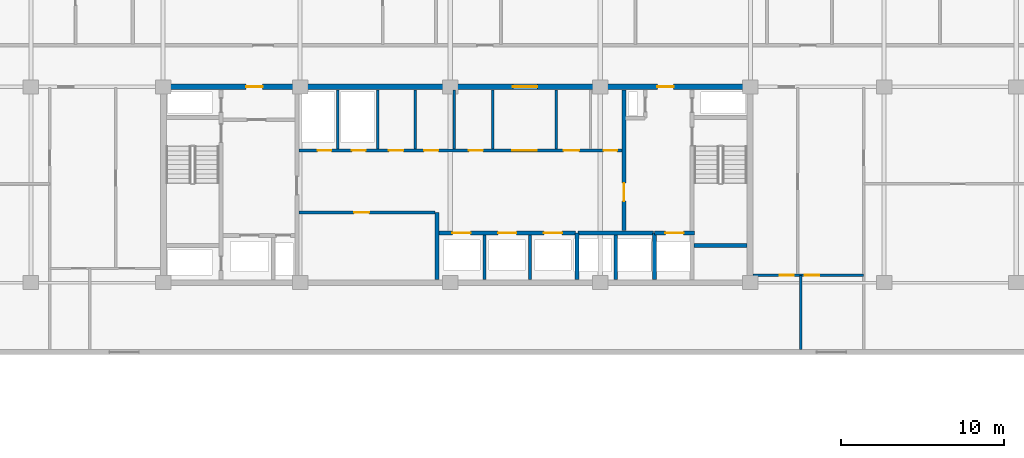
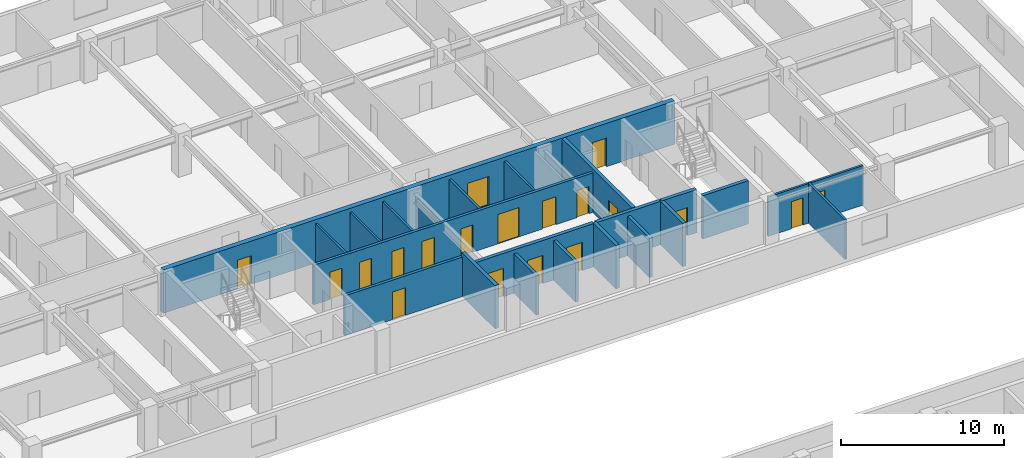
# One storey, part 12 of 22: 22 walls, 19 doors, 19 openings.
"""IFC4 building model written with IfcOpenShell, lengths in metres."""

from ifc_helpers import new_model, si_unit, direction, frame, frame_2d, origin, place, context, subcontext, project, spatial, rectangle, extrude, material, layer, layer_set, type_object, element, fill, save


model = new_model("IFC4")

# Units and contexts
model_context = context("Model", 3, precision=1e-05, world=origin(), true_north=direction((0.0, 1.0)))
body_context = subcontext(model_context, "Body", "Model", "MODEL_VIEW")
ifc_project = project(units=[si_unit("LENGTHUNIT", "METRE"), si_unit("AREAUNIT", "SQUARE_METRE"), si_unit("VOLUMEUNIT", "CUBIC_METRE"), si_unit("PLANEANGLEUNIT", "RADIAN"), si_unit("MASSUNIT", "GRAM", prefix="KILO")], contexts=[model_context])

# Site, building, storey
site_placement = place(None, origin())
site = spatial("IfcSite", under=ifc_project, at=site_placement, CompositionType="ELEMENT")
building_placement = place(site_placement, origin())
building = spatial("IfcBuilding", under=site, at=building_placement, Name="Korimba Cascade Residences", CompositionType="ELEMENT")
storey_placement = place(building_placement, frame((0.0, 0.0, 129.550048828125)))
storey = spatial("IfcBuildingStorey", under=building, at=storey_placement, Name="L37", CompositionType="ELEMENT", Elevation=129.550048828125)

# Wall, openings, doors
ifc_material_1 = material(Name="Concrete C65/80", Category="concrete")
ifc_layer_1 = layer(ifc_material_1, 0.35009765625)
ifc_layer_set_1 = layer_set([ifc_layer_1], Name="Concrete C65/80")
wall_type_1 = type_object("IfcWallType", Name="WAL-CORE-350", PredefinedType="SHEAR", material=ifc_layer_set_1)
wall_1_placement = place(storey_placement, frame((75.949951171875, 67.199951171875, 0.0), z_axis=(0.0, 0.0, 1.0), x_axis=(1.0, 0.0, 0.0)))
wall_1 = element("IfcWall", 1, at=wall_1_placement, inside=storey, type_object=wall_type_1, Name="L37 Core Shear Wall CW-L37-T1-N", PredefinedType="SHEAR", context=body_context, shape_type="SweptSolid", body=[
    extrude(rectangle(XDim=36.300048828125, YDim=0.35009765625, at=frame_2d((18.14990234375, 0.0))), origin(), (0.0, 0.0, 1.0), 3.25),
])
opening_1_placement = place(wall_1_placement, frame((5.25, 0.0, 0.0)))
opening_1 = element("IfcOpeningElement", 2, at=opening_1_placement, cuts=wall_1, Name="Opening D-FD5", PredefinedType="OPENING", context=body_context, shape_type="SweptSolid", body=[
    extrude(rectangle(XDim=1.0, YDim=2.14990234375, at=frame_2d((0.5, 1.074951171875))), frame((0.0, 0.18505859375, 0.0), z_axis=(0.0, -1.0, 0.0), x_axis=(1.0, 0.0, 0.0)), (0.0, 0.0, 1.0), 0.3701171875),
])
opening_2_placement = place(wall_1_placement, frame((21.60009765625, 0.0, 0.0)))
opening_2 = element("IfcOpeningElement", 3, at=opening_2_placement, cuts=wall_1, Name="Opening D-FD8", PredefinedType="OPENING", context=body_context, shape_type="SweptSolid", body=[
    extrude(rectangle(XDim=1.5, YDim=2.199951171875, at=frame_2d((0.75, 1.10009765625))), frame((0.0, 0.18505859375, 0.0), z_axis=(0.0, -1.0, 0.0), x_axis=(1.0, 0.0, 0.0)), (0.0, 0.0, 1.0), 0.3701171875),
])
opening_3_placement = place(wall_1_placement, frame((30.449951171875, 0.0, 0.0)))
opening_3 = element("IfcOpeningElement", 4, at=opening_3_placement, cuts=wall_1, Name="Opening D-FD5", PredefinedType="OPENING", context=body_context, shape_type="SweptSolid", body=[
    extrude(rectangle(XDim=1.0, YDim=2.14990234375, at=frame_2d((0.5, 1.074951171875))), frame((0.0, 0.18505859375, 0.0), z_axis=(0.0, -1.0, 0.0), x_axis=(1.0, 0.0, 0.0)), (0.0, 0.0, 1.0), 0.3701171875),
])
ifc_material_2 = material(Name="Fire-Rated Acoustic Timber Vestibule Door", Category="wood")
door_type_1 = type_object("IfcDoorType", Name="DR-FD90-1000", OperationType="NOTDEFINED", PredefinedType="DOOR", material=ifc_material_2)
door_1_placement = place(opening_1_placement, origin())
door_1 = element("IfcDoor", 5, at=door_1_placement, inside=storey, type_object=door_type_1, Name="L37 T1 West Core Vestibule Fire Door", OperationType="SINGLE_SWING_RIGHT", OverallHeight=2.14990234375, OverallWidth=1.0, PredefinedType="DOOR", context=body_context, shape_type="SweptSolid", body=[
    extrude(rectangle(XDim=1.0, YDim=2.14990234375, at=frame_2d((0.5, 1.074951171875))), frame((0.0, 0.02490234375, 0.0), z_axis=(0.0, -1.0, 0.0), x_axis=(1.0, 0.0, 0.0)), (0.0, 0.0, 1.0), 0.050048828125),
])
fill(opening_1, door_1)
door_2_placement = place(opening_3_placement, origin())
door_2 = element("IfcDoor", 6, at=door_2_placement, inside=storey, type_object=door_type_1, Name="L37 T1 East Firefighting Vestibule Fire Door", OperationType="SINGLE_SWING_LEFT", OverallHeight=2.14990234375, OverallWidth=1.0, PredefinedType="DOOR", context=body_context, shape_type="SweptSolid", body=[
    extrude(rectangle(XDim=1.0, YDim=2.14990234375, at=frame_2d((0.5, 1.074951171875))), frame((0.0, 0.02490234375, 0.0), z_axis=(0.0, -1.0, 0.0), x_axis=(1.0, 0.0, 0.0)), (0.0, 0.0, 1.0), 0.050048828125),
])
fill(opening_3, door_2)
ifc_material_3 = material(Name="Fire-Rated Glazed Lift Lobby Double Door", Category="glass")
door_type_2 = type_object("IfcDoorType", Name="DR-FD90-1500", OperationType="NOTDEFINED", PredefinedType="DOOR", material=ifc_material_3)
door_3_placement = place(opening_2_placement, origin())
door_3 = element("IfcDoor", 7, at=door_3_placement, inside=storey, type_object=door_type_2, Name="L37 T1 Lift Lobby Fire Door", OperationType="DOUBLE_DOOR_SINGLE_SWING", OverallHeight=2.199951171875, OverallWidth=1.5, PredefinedType="DOOR", context=body_context, shape_type="SweptSolid", body=[
    extrude(rectangle(XDim=1.5, YDim=2.199951171875, at=frame_2d((0.75, 1.10009765625))), frame((0.0, 0.02490234375, 0.0), z_axis=(0.0, -1.0, 0.0), x_axis=(1.0, 0.0, 0.0)), (0.0, 0.0, 1.0), 0.050048828125),
])
fill(opening_2, door_3)

# Walls
ifc_material_4 = material(Name="Insulated Acoustic Stud Partition", Category="gypsum")
ifc_layer_2 = layer(ifc_material_4, 0.14990234375)
ifc_layer_set_2 = layer_set([ifc_layer_2], Name="Insulated Acoustic Stud Partition")
wall_type_2 = type_object("IfcWallType", Name="WAL-PART-150", PredefinedType="PARTITIONING", material=ifc_layer_set_2)
for number, where, z_axis, x_axis, name in (
    (8, (86.800048828125, 63.39990234375, 0.0), (0.0, 0.0, 1.0), (0.0, 1.0, 0.0), "L37 Partition Wall CW-L37-T1-ERDIV"),
    (9, (89.25, 63.39990234375, 0.0), (0.0, 0.0, 1.0), (0.0, 1.0, 0.0), "L37 Partition Wall CW-L37-T1-PRDIV"),
    (10, (91.550048828125, 63.39990234375, 0.0), (0.0, 0.0, 1.0), (0.0, 1.0, 0.0), "L37 Partition Wall CW-L37-T1-CA1W1"),
):
    element("IfcWall", number, at=place(storey_placement, frame(where, z_axis=z_axis, x_axis=x_axis)), inside=storey, type_object=wall_type_2, Name=name, PredefinedType="PARTITIONING", context=body_context, shape_type="SweptSolid", body=[
        extrude(rectangle(XDim=3.60009765625, YDim=0.14990234375, at=frame_2d((1.800048828125, 0.0))), origin(), (0.0, 0.0, 1.0), 2.969970703125),
    ])
wall_2_placement = place(storey_placement, frame((93.949951171875, 63.39990234375, 0.0), z_axis=(0.0, 0.0, 1.0), x_axis=(0.0, 1.0, 0.0)))
element("IfcWall", 11, at=wall_2_placement, inside=storey, type_object=wall_type_2, Name="L37 Partition Wall CW-L37-T1-CA1W2", PredefinedType="PARTITIONING", context=body_context, shape_type="SweptSolid", body=[
    extrude(rectangle(XDim=3.60009765625, YDim=0.14990234375, at=frame_2d((1.800048828125, 0.0))), origin(), (0.0, 0.0, 1.0), 2.277099609375),
])
for number, where, z_axis, x_axis, name in (
    (12, (96.300048828125, 63.39990234375, 0.0), (0.0, 0.0, 1.0), (0.0, 1.0, 0.0), "L37 Partition Wall CW-L37-T1-THW"),
    (13, (100.199951171875, 63.39990234375, 0.0), (0.0, 0.0, 1.0), (0.0, 1.0, 0.0), "L37 Partition Wall CW-L37-T1-THE"),
):
    element("IfcWall", number, at=place(storey_placement, frame(where, z_axis=z_axis, x_axis=x_axis)), inside=storey, type_object=wall_type_2, Name=name, PredefinedType="PARTITIONING", context=body_context, shape_type="SweptSolid", body=[
        extrude(rectangle(XDim=3.60009765625, YDim=0.14990234375, at=frame_2d((1.800048828125, 0.0))), origin(), (0.0, 0.0, 1.0), 2.969970703125),
    ])
wall_3_placement = place(storey_placement, frame((115.199951171875, 51.10009765625, 0.0), z_axis=(0.0, 0.0, 1.0), x_axis=(0.0, 1.0, 0.0)))
element("IfcWall", 14, at=wall_3_placement, inside=storey, type_object=wall_type_2, Name="L37 Partition Wall WAL-L37-T1-FE-VS", PredefinedType="PARTITIONING", context=body_context, shape_type="SweptSolid", body=[
    extrude(rectangle(XDim=4.5498046875, YDim=0.14990234375, at=frame_2d((2.27490234375, 0.0))), origin(), (0.0, 0.0, 1.0), 2.969970703125),
])

# Wall, openings, doors
wall_4_placement = place(storey_placement, frame((112.27001953125, 55.64990234375, 0.0), z_axis=(0.0, 0.0, 1.0), x_axis=(1.0, 0.0, 0.0)))
wall_4 = element("IfcWall", 15, at=wall_4_placement, inside=storey, type_object=wall_type_2, Name="L37 Partition Wall WAL-L37-T1-FE-H", PredefinedType="PARTITIONING", context=body_context, shape_type="SweptSolid", body=[
    extrude(rectangle(XDim=6.760009765625, YDim=0.14990234375, at=frame_2d((3.3798828125, 0.0))), origin(), (0.0, 0.0, 1.0), 2.969970703125),
])
opening_4_placement = place(wall_4_placement, frame((1.6396484375, 0.0, 0.0)))
opening_4 = element("IfcOpeningElement", 16, at=opening_4_placement, cuts=wall_4, Name="Opening D-BT1", PredefinedType="OPENING", context=body_context, shape_type="SweptSolid", body=[
    extrude(rectangle(XDim=0.840087890625, YDim=2.0400390625, at=frame_2d((0.419921875, 1.02001953125))), frame((0.0, 0.0849609375, 0.0), z_axis=(0.0, -1.0, 0.0), x_axis=(1.0, 0.0, 0.0)), (0.0, 0.0, 1.0), 0.169921875),
])
opening_5_placement = place(wall_4_placement, frame((3.160400390625, 0.0, 0.0)))
opening_5 = element("IfcOpeningElement", 17, at=opening_5_placement, cuts=wall_4, Name="Opening D-IN2", PredefinedType="OPENING", context=body_context, shape_type="SweptSolid", body=[
    extrude(rectangle(XDim=0.8798828125, YDim=2.06005859375, at=frame_2d((0.43994140625, 1.030029296875))), frame((0.0, 0.0849609375, 0.0), z_axis=(0.0, -1.0, 0.0), x_axis=(1.0, 0.0, 0.0)), (0.0, 0.0, 1.0), 0.169921875),
])
ifc_material_5 = material(Name="Moisture-Resistant Bathroom Timber Door", Category="wood")
door_type_3 = type_object("IfcDoorType", Name="DR-INT-850", OperationType="NOTDEFINED", PredefinedType="DOOR", material=ifc_material_5)
door_4_placement = place(opening_4_placement, origin())
door_4 = element("IfcDoor", 18, at=door_4_placement, inside=storey, type_object=door_type_3, Name="L37-T1-FE Bathroom Door", OperationType="SINGLE_SWING_LEFT", OverallHeight=2.0400390625, OverallWidth=0.840087890625, PredefinedType="DOOR", context=body_context, shape_type="SweptSolid", body=[
    extrude(rectangle(XDim=0.840087890625, YDim=2.0400390625, at=frame_2d((0.419921875, 1.02001953125))), frame((0.0, 0.02490234375, 0.0), z_axis=(0.0, -1.0, 0.0), x_axis=(1.0, 0.0, 0.0)), (0.0, 0.0, 1.0), 0.050048828125),
])
fill(opening_4, door_4)
ifc_material_6 = material(Name="Acoustic Timber Bedroom Door", Category="wood")
door_type_4 = type_object("IfcDoorType", Name="DR-INT-880", OperationType="NOTDEFINED", PredefinedType="DOOR", material=ifc_material_6)
door_5_placement = place(opening_5_placement, origin())
door_5 = element("IfcDoor", 19, at=door_5_placement, inside=storey, type_object=door_type_4, Name="L37-T1-FE Bedroom Door", OperationType="SINGLE_SWING_RIGHT", OverallHeight=2.06005859375, OverallWidth=0.8798828125, PredefinedType="DOOR", context=body_context, shape_type="SweptSolid", body=[
    extrude(rectangle(XDim=0.8798828125, YDim=2.06005859375, at=frame_2d((0.43994140625, 1.030029296875))), frame((0.0, 0.02490234375, 0.0), z_axis=(0.0, -1.0, 0.0), x_axis=(1.0, 0.0, 0.0)), (0.0, 0.0, 1.0), 0.050048828125),
])
fill(opening_5, door_5)

# Wall, opening, door
ifc_material_7 = material(Name="Concrete C40/50", Category="concrete")
ifc_layer_3 = layer(ifc_material_7, 0.199951171875)
ifc_layer_set_3 = layer_set([ifc_layer_3], Name="Concrete C40/50")
wall_type_3 = type_object("IfcWallType", Name="WAL-PART-200", PredefinedType="PARTITIONING", material=ifc_layer_set_3)
wall_5_placement = place(storey_placement, frame((84.419921875, 59.5, 0.0), z_axis=(0.0, 0.0, 1.0), x_axis=(1.0, 0.0, 0.0)))
wall_5 = element("IfcWall", 20, at=wall_5_placement, inside=storey, type_object=wall_type_3, Name="L37 Partition Wall CW-L37-T1-B1RN", PredefinedType="PARTITIONING", context=body_context, shape_type="SweptSolid", body=[
    extrude(rectangle(XDim=8.360107421875, YDim=0.199951171875, at=frame_2d((4.18017578125, 0.0))), origin(), (0.0, 0.0, 1.0), 2.969970703125),
])
opening_6_placement = place(wall_5_placement, frame((3.39990234375, 0.0, 0.0)))
opening_6 = element("IfcOpeningElement", 21, at=opening_6_placement, cuts=wall_5, Name="Opening D-ST1", PredefinedType="OPENING", context=body_context, shape_type="SweptSolid", body=[
    extrude(rectangle(XDim=0.919921875, YDim=2.080078125, at=frame_2d((0.4599609375, 1.0400390625))), frame((0.0, 0.10986328125, 0.0), z_axis=(0.0, -1.0, 0.0), x_axis=(1.0, 0.0, 0.0)), (0.0, 0.0, 1.0), 0.219970703125),
])
ifc_material_8 = material(Name="Fire-Rated Core Store Door", Category="wood")
door_type_5 = type_object("IfcDoorType", Name="DR-FD60-920", OperationType="NOTDEFINED", PredefinedType="DOOR", material=ifc_material_8)
door_6_placement = place(opening_6_placement, origin())
door_6 = element("IfcDoor", 22, at=door_6_placement, inside=storey, type_object=door_type_5, Name="L37 Resident Storage Door", OperationType="SINGLE_SWING_RIGHT", OverallHeight=2.080078125, OverallWidth=0.919921875, PredefinedType="DOOR", context=body_context, shape_type="SweptSolid", body=[
    extrude(rectangle(XDim=0.919921875, YDim=2.080078125, at=frame_2d((0.4599609375, 1.0400390625))), frame((0.0, 0.02490234375, 0.0), z_axis=(0.0, -1.0, 0.0), x_axis=(1.0, 0.0, 0.0)), (0.0, 0.0, 1.0), 0.050048828125),
])
fill(opening_6, door_6)

# Walls
for number, where, z_axis, x_axis, name in (
    (23, (95.800048828125, 55.39990234375, 0.0), (0.0, 0.0, 1.0), (0.0, 1.0, 0.0), "L37 Partition Wall CW-L37-T1-B2D1"),
    (24, (98.60009765625, 55.39990234375, 0.0), (0.0, 0.0, 1.0), (0.0, 1.0, 0.0), "L37 Partition Wall CW-L37-T1-B2D2"),
    (25, (103.85009765625, 55.39990234375, 0.0), (0.0, 0.0, 1.0), (0.0, 1.0, 0.0), "L37 Partition Wall CW-L37-T1-B3D1"),
):
    element("IfcWall", number, at=place(storey_placement, frame(where, z_axis=z_axis, x_axis=x_axis)), inside=storey, type_object=wall_type_3, Name=name, PredefinedType="PARTITIONING", context=body_context, shape_type="SweptSolid", body=[
        extrude(rectangle(XDim=2.72021484375, YDim=0.199951171875, at=frame_2d((1.360107421875, 0.0))), origin(), (0.0, 0.0, 1.0), 2.969970703125),
    ])

# Wall, openings, doors
wall_6_placement = place(storey_placement, frame((84.419921875, 63.300048828125, 0.0), z_axis=(0.0, 0.0, 1.0), x_axis=(1.0, 0.0, 0.0)))
wall_6 = element("IfcWall", 26, at=wall_6_placement, inside=storey, type_object=wall_type_3, Name="L37 Partition Wall CW-L37-T1-SRVROW", PredefinedType="PARTITIONING", context=body_context, shape_type="SweptSolid", body=[
    extrude(rectangle(XDim=19.830078125, YDim=0.199951171875, at=frame_2d((9.9150390625, 0.0))), origin(), (0.0, 0.0, 1.0), 2.969970703125),
])
opening_7_placement = place(wall_6_placement, frame((1.14990234375, 0.0, 0.0)))
opening_7 = element("IfcOpeningElement", 27, at=opening_7_placement, cuts=wall_6, Name="Opening D-RS1", PredefinedType="OPENING", context=body_context, shape_type="SweptSolid", body=[
    extrude(rectangle(XDim=0.85009765625, YDim=2.050048828125, at=frame_2d((0.425048828125, 1.02490234375))), frame((0.0, 0.10986328125, 0.0), z_axis=(0.0, -1.0, 0.0), x_axis=(1.0, 0.0, 0.0)), (0.0, 0.0, 1.0), 0.219970703125),
])
opening_8_placement = place(wall_6_placement, frame((3.25, 0.0, 0.0)))
opening_8 = element("IfcOpeningElement", 28, at=opening_8_placement, cuts=wall_6, Name="Opening D-RS1", PredefinedType="OPENING", context=body_context, shape_type="SweptSolid", body=[
    extrude(rectangle(XDim=0.85009765625, YDim=2.050048828125, at=frame_2d((0.425048828125, 1.02490234375))), frame((0.0, 0.10986328125, 0.0), z_axis=(0.0, -1.0, 0.0), x_axis=(1.0, 0.0, 0.0)), (0.0, 0.0, 1.0), 0.219970703125),
])
opening_9_placement = place(wall_6_placement, frame((13.080078125, 0.0, 0.0)))
opening_9 = element("IfcOpeningElement", 29, at=opening_9_placement, cuts=wall_6, Name="Opening D-FD8", PredefinedType="OPENING", context=body_context, shape_type="SweptSolid", body=[
    extrude(rectangle(XDim=1.5, YDim=2.199951171875, at=frame_2d((0.75, 1.10009765625))), frame((0.0, 0.10986328125, 0.0), z_axis=(0.0, -1.0, 0.0), x_axis=(1.0, 0.0, 0.0)), (0.0, 0.0, 1.0), 0.219970703125),
])
opening_10_placement = place(wall_6_placement, frame((5.530029296875, 0.0, 0.0)))
opening_10 = element("IfcOpeningElement", 30, at=opening_10_placement, cuts=wall_6, Name="Opening D-IN2", PredefinedType="OPENING", context=body_context, shape_type="SweptSolid", body=[
    extrude(rectangle(XDim=0.8798828125, YDim=2.06005859375, at=frame_2d((0.43994140625, 1.030029296875))), frame((0.0, 0.10986328125, 0.0), z_axis=(0.0, -1.0, 0.0), x_axis=(1.0, 0.0, 0.0)), (0.0, 0.0, 1.0), 0.219970703125),
])
opening_11_placement = place(wall_6_placement, frame((7.679931640625, 0.0, 0.0)))
opening_11 = element("IfcOpeningElement", 31, at=opening_11_placement, cuts=wall_6, Name="Opening D-IN2", PredefinedType="OPENING", context=body_context, shape_type="SweptSolid", body=[
    extrude(rectangle(XDim=0.8798828125, YDim=2.06005859375, at=frame_2d((0.43994140625, 1.030029296875))), frame((0.0, 0.10986328125, 0.0), z_axis=(0.0, -1.0, 0.0), x_axis=(1.0, 0.0, 0.0)), (0.0, 0.0, 1.0), 0.219970703125),
])
opening_12_placement = place(wall_6_placement, frame((10.429931640625, 0.0, 0.0)))
opening_12 = element("IfcOpeningElement", 32, at=opening_12_placement, cuts=wall_6, Name="Opening D-RS1", PredefinedType="OPENING", context=body_context, shape_type="SweptSolid", body=[
    extrude(rectangle(XDim=0.85009765625, YDim=2.050048828125, at=frame_2d((0.425048828125, 1.02490234375))), frame((0.0, 0.10986328125, 0.0), z_axis=(0.0, -1.0, 0.0), x_axis=(1.0, 0.0, 0.0)), (0.0, 0.0, 1.0), 0.219970703125),
])
opening_13_placement = place(wall_6_placement, frame((16.22998046875, 0.0, 0.0)))
opening_13 = element("IfcOpeningElement", 33, at=opening_13_placement, cuts=wall_6, Name="Opening D-AC1", PredefinedType="OPENING", context=body_context, shape_type="SweptSolid", body=[
    extrude(rectangle(XDim=0.9599609375, YDim=2.10009765625, at=frame_2d((0.47998046875, 1.050048828125))), frame((0.0, 0.10986328125, 0.0), z_axis=(0.0, -1.0, 0.0), x_axis=(1.0, 0.0, 0.0)), (0.0, 0.0, 1.0), 0.219970703125),
])
opening_14_placement = place(wall_6_placement, frame((18.679931640625, 0.0, 0.0)))
opening_14 = element("IfcOpeningElement", 34, at=opening_14_placement, cuts=wall_6, Name="Opening D-BT1", PredefinedType="OPENING", context=body_context, shape_type="SweptSolid", body=[
    extrude(rectangle(XDim=0.840087890625, YDim=2.0400390625, at=frame_2d((0.419921875, 1.02001953125))), frame((0.0, 0.10986328125, 0.0), z_axis=(0.0, -1.0, 0.0), x_axis=(1.0, 0.0, 0.0)), (0.0, 0.0, 1.0), 0.219970703125),
])
ifc_material_9 = material(Name="Accessible Acoustic Timber WC Door", Category="wood")
door_type_6 = type_object("IfcDoorType", Name="DR-ACC-950", OperationType="NOTDEFINED", PredefinedType="DOOR", material=ifc_material_9)
door_7_placement = place(opening_13_placement, origin())
door_7 = element("IfcDoor", 35, at=door_7_placement, inside=storey, type_object=door_type_6, Name="L37 Accessible Staff WC Door", OperationType="SINGLE_SWING_RIGHT", OverallHeight=2.10009765625, OverallWidth=0.9599609375, PredefinedType="DOOR", context=body_context, shape_type="SweptSolid", body=[
    extrude(rectangle(XDim=0.9599609375, YDim=2.10009765625, at=frame_2d((0.47998046875, 1.050048828125))), frame((0.0, 0.02490234375, 0.0), z_axis=(0.0, -1.0, 0.0), x_axis=(1.0, 0.0, 0.0)), (0.0, 0.0, 1.0), 0.050048828125),
])
fill(opening_13, door_7)
ifc_material_10 = material(Name="Fire-Rated Steel Riser Access Door", Category="steel")
door_type_7 = type_object("IfcDoorType", Name="DR-FD60-850", OperationType="NOTDEFINED", PredefinedType="DOOR", material=ifc_material_10)
door_8_placement = place(opening_7_placement, origin())
door_8 = element("IfcDoor", 36, at=door_8_placement, inside=storey, type_object=door_type_7, Name="L37 Electrical Riser Door", OperationType="SINGLE_SWING_LEFT", OverallHeight=2.050048828125, OverallWidth=0.85009765625, PredefinedType="DOOR", context=body_context, shape_type="SweptSolid", body=[
    extrude(rectangle(XDim=0.85009765625, YDim=2.050048828125, at=frame_2d((0.425048828125, 1.02490234375))), frame((0.0, 0.02490234375, 0.0), z_axis=(0.0, -1.0, 0.0), x_axis=(1.0, 0.0, 0.0)), (0.0, 0.0, 1.0), 0.050048828125),
])
fill(opening_7, door_8)
door_9_placement = place(opening_8_placement, origin())
door_9 = element("IfcDoor", 37, at=door_9_placement, inside=storey, type_object=door_type_7, Name="L37 Plumbing Riser Door", OperationType="SINGLE_SWING_RIGHT", OverallHeight=2.050048828125, OverallWidth=0.85009765625, PredefinedType="DOOR", context=body_context, shape_type="SweptSolid", body=[
    extrude(rectangle(XDim=0.85009765625, YDim=2.050048828125, at=frame_2d((0.425048828125, 1.02490234375))), frame((0.0, 0.02490234375, 0.0), z_axis=(0.0, -1.0, 0.0), x_axis=(1.0, 0.0, 0.0)), (0.0, 0.0, 1.0), 0.050048828125),
])
fill(opening_8, door_9)
door_10_placement = place(opening_12_placement, origin())
door_10 = element("IfcDoor", 38, at=door_10_placement, inside=storey, type_object=door_type_7, Name="L37 IT Room Door", OperationType="SINGLE_SWING_LEFT", OverallHeight=2.050048828125, OverallWidth=0.85009765625, PredefinedType="DOOR", context=body_context, shape_type="SweptSolid", body=[
    extrude(rectangle(XDim=0.85009765625, YDim=2.050048828125, at=frame_2d((0.425048828125, 1.02490234375))), frame((0.0, 0.02490234375, 0.0), z_axis=(0.0, -1.0, 0.0), x_axis=(1.0, 0.0, 0.0)), (0.0, 0.0, 1.0), 0.050048828125),
])
fill(opening_12, door_10)
door_11_placement = place(opening_9_placement, origin())
door_11 = element("IfcDoor", 39, at=door_11_placement, inside=storey, type_object=door_type_2, Name="L37 Lift Lobby Foyer Archway Door", OperationType="DOUBLE_DOOR_SINGLE_SWING", OverallHeight=2.199951171875, OverallWidth=1.5, PredefinedType="DOOR", context=body_context, shape_type="SweptSolid", body=[
    extrude(rectangle(XDim=1.5, YDim=2.199951171875, at=frame_2d((0.75, 1.10009765625))), frame((0.0, 0.02490234375, 0.0), z_axis=(0.0, -1.0, 0.0), x_axis=(1.0, 0.0, 0.0)), (0.0, 0.0, 1.0), 0.050048828125),
])
fill(opening_9, door_11)
door_12_placement = place(opening_14_placement, origin())
door_12 = element("IfcDoor", 40, at=door_12_placement, inside=storey, type_object=door_type_3, Name="L37 Vending Room Door", OperationType="SINGLE_SWING_LEFT", OverallHeight=2.0400390625, OverallWidth=0.840087890625, PredefinedType="DOOR", context=body_context, shape_type="SweptSolid", body=[
    extrude(rectangle(XDim=0.840087890625, YDim=2.0400390625, at=frame_2d((0.419921875, 1.02001953125))), frame((0.0, 0.02490234375, 0.0), z_axis=(0.0, -1.0, 0.0), x_axis=(1.0, 0.0, 0.0)), (0.0, 0.0, 1.0), 0.050048828125),
])
fill(opening_14, door_12)
door_13_placement = place(opening_10_placement, origin())
door_13 = element("IfcDoor", 41, at=door_13_placement, inside=storey, type_object=door_type_4, Name="L37 Cleaners Door", OperationType="SINGLE_SWING_LEFT", OverallHeight=2.06005859375, OverallWidth=0.8798828125, PredefinedType="DOOR", context=body_context, shape_type="SweptSolid", body=[
    extrude(rectangle(XDim=0.8798828125, YDim=2.06005859375, at=frame_2d((0.43994140625, 1.030029296875))), frame((0.0, 0.02490234375, 0.0), z_axis=(0.0, -1.0, 0.0), x_axis=(1.0, 0.0, 0.0)), (0.0, 0.0, 1.0), 0.050048828125),
])
fill(opening_10, door_13)
door_14_placement = place(opening_11_placement, origin())
door_14 = element("IfcDoor", 42, at=door_14_placement, inside=storey, type_object=door_type_4, Name="L37 Pantry Door", OperationType="SINGLE_SWING_RIGHT", OverallHeight=2.06005859375, OverallWidth=0.8798828125, PredefinedType="DOOR", context=body_context, shape_type="SweptSolid", body=[
    extrude(rectangle(XDim=0.8798828125, YDim=2.06005859375, at=frame_2d((0.43994140625, 1.030029296875))), frame((0.0, 0.02490234375, 0.0), z_axis=(0.0, -1.0, 0.0), x_axis=(1.0, 0.0, 0.0)), (0.0, 0.0, 1.0), 0.050048828125),
])
fill(opening_11, door_14)

# Wall
ifc_material_11 = material(Name="Concrete C50/60", Category="concrete")
ifc_layer_4 = layer(ifc_material_11, 0.25)
ifc_layer_set_4 = layer_set([ifc_layer_4], Name="Concrete C50/60")
wall_type_4 = type_object("IfcWallType", Name="WAL-SHAFT-250", PredefinedType="SHEAR", material=ifc_layer_set_4)
wall_7_placement = place(storey_placement, frame((92.89990234375, 55.39990234375, 0.0), z_axis=(0.0, 0.0, 1.0), x_axis=(0.0, 1.0, 0.0)))
element("IfcWall", 43, at=wall_7_placement, inside=storey, type_object=wall_type_4, Name="L37 Core Shear Wall CW-L37-T1-B12DIV", PredefinedType="SHEAR", context=body_context, shape_type="SweptSolid", body=[
    extrude(rectangle(XDim=4.10009765625, YDim=0.25, at=frame_2d((2.050048828125, 0.0))), origin(), (0.0, 0.0, 1.0), 3.25),
])

# Wall, openings, doors
wall_8_placement = place(storey_placement, frame((93.02001953125, 58.25, 0.0), z_axis=(0.0, 0.0, 1.0), x_axis=(1.0, 0.0, 0.0)))
wall_8 = element("IfcWall", 44, at=wall_8_placement, inside=storey, type_object=wall_type_4, Name="L37 Core Shear Wall CW-L37-T1-B2N", PredefinedType="SHEAR", context=body_context, shape_type="SweptSolid", body=[
    extrude(rectangle(XDim=8.35986328125, YDim=0.25, at=frame_2d((4.179931640625, 0.0))), origin(), (0.0, 0.0, 1.0), 3.25),
])
opening_15_placement = place(wall_8_placement, frame((0.820068359375, 0.0, 0.0)))
opening_15 = element("IfcOpeningElement", 45, at=opening_15_placement, cuts=wall_8, Name="Opening LD-01", PredefinedType="OPENING", context=body_context, shape_type="SweptSolid", body=[
    extrude(rectangle(XDim=1.1201171875, YDim=2.1201171875, at=frame_2d((0.56005859375, 1.06005859375))), frame((0.0, 0.135009765625, 0.0), z_axis=(0.0, -1.0, 0.0), x_axis=(1.0, 0.0, 0.0)), (0.0, 0.0, 1.0), 0.27001953125),
])
opening_16_placement = place(wall_8_placement, frame((3.6201171875, 0.0, 0.0)))
opening_16 = element("IfcOpeningElement", 46, at=opening_16_placement, cuts=wall_8, Name="Opening LD-01", PredefinedType="OPENING", context=body_context, shape_type="SweptSolid", body=[
    extrude(rectangle(XDim=1.1201171875, YDim=2.1201171875, at=frame_2d((0.56005859375, 1.06005859375))), frame((0.0, 0.135009765625, 0.0), z_axis=(0.0, -1.0, 0.0), x_axis=(1.0, 0.0, 0.0)), (0.0, 0.0, 1.0), 0.27001953125),
])
opening_17_placement = place(wall_8_placement, frame((6.419921875, 0.0, 0.0)))
opening_17 = element("IfcOpeningElement", 47, at=opening_17_placement, cuts=wall_8, Name="Opening LD-01", PredefinedType="OPENING", context=body_context, shape_type="SweptSolid", body=[
    extrude(rectangle(XDim=1.1201171875, YDim=2.1201171875, at=frame_2d((0.56005859375, 1.06005859375))), frame((0.0, 0.135009765625, 0.0), z_axis=(0.0, -1.0, 0.0), x_axis=(1.0, 0.0, 0.0)), (0.0, 0.0, 1.0), 0.27001953125),
])
ifc_material_12 = material(Name="Stainless Steel Lift Landing Sliding Door", Category="steel")
door_type_8 = type_object("IfcDoorType", Name="DR-LIFT-1100", OperationType="NOTDEFINED", PredefinedType="DOOR", material=ifc_material_12)
door_15_placement = place(opening_15_placement, origin())
door_15 = element("IfcDoor", 48, at=door_15_placement, inside=storey, type_object=door_type_8, Name="L37 Lift Landing Door PL-W4", OperationType="SLIDING_TO_RIGHT", OverallHeight=2.1201171875, OverallWidth=1.1201171875, PredefinedType="DOOR", context=body_context, shape_type="SweptSolid", body=[
    extrude(rectangle(XDim=1.1201171875, YDim=2.1201171875, at=frame_2d((0.56005859375, 1.06005859375))), frame((0.0, 0.02490234375, 0.0), z_axis=(0.0, -1.0, 0.0), x_axis=(1.0, 0.0, 0.0)), (0.0, 0.0, 1.0), 0.050048828125),
])
fill(opening_15, door_15)
door_16_placement = place(opening_16_placement, origin())
door_16 = element("IfcDoor", 49, at=door_16_placement, inside=storey, type_object=door_type_8, Name="L37 Lift Landing Door PL-W5", OperationType="SLIDING_TO_RIGHT", OverallHeight=2.1201171875, OverallWidth=1.1201171875, PredefinedType="DOOR", context=body_context, shape_type="SweptSolid", body=[
    extrude(rectangle(XDim=1.1201171875, YDim=2.1201171875, at=frame_2d((0.56005859375, 1.06005859375))), frame((0.0, 0.02490234375, 0.0), z_axis=(0.0, -1.0, 0.0), x_axis=(1.0, 0.0, 0.0)), (0.0, 0.0, 1.0), 0.050048828125),
])
fill(opening_16, door_16)
door_17_placement = place(opening_17_placement, origin())
door_17 = element("IfcDoor", 50, at=door_17_placement, inside=storey, type_object=door_type_8, Name="L37 Lift Landing Door PL-W6", OperationType="SLIDING_TO_RIGHT", OverallHeight=2.1201171875, OverallWidth=1.1201171875, PredefinedType="DOOR", context=body_context, shape_type="SweptSolid", body=[
    extrude(rectangle(XDim=1.1201171875, YDim=2.1201171875, at=frame_2d((0.56005859375, 1.06005859375))), frame((0.0, 0.02490234375, 0.0), z_axis=(0.0, -1.0, 0.0), x_axis=(1.0, 0.0, 0.0)), (0.0, 0.0, 1.0), 0.050048828125),
])
fill(opening_17, door_17)

# Walls
wall_9_placement = place(storey_placement, frame((101.47998046875, 55.39990234375, 0.0), z_axis=(0.0, 0.0, 1.0), x_axis=(0.0, 1.0, 0.0)))
element("IfcWall", 51, at=wall_9_placement, inside=storey, type_object=wall_type_4, Name="L37 Core Shear Wall CW-L37-T1-B23DIV", PredefinedType="SHEAR", context=body_context, shape_type="SweptSolid", body=[
    extrude(rectangle(XDim=2.85009765625, YDim=0.25, at=frame_2d((1.425048828125, 0.0))), origin(), (0.0, 0.0, 1.0), 3.25),
])
wall_10_placement = place(storey_placement, frame((101.550048828125, 58.25, 0.0), z_axis=(0.0, 0.0, 1.0), x_axis=(1.0, 0.0, 0.0)))
element("IfcWall", 52, at=wall_10_placement, inside=storey, type_object=wall_type_4, Name="L37 Core Shear Wall CW-L37-T1-B3N", PredefinedType="SHEAR", context=body_context, shape_type="SweptSolid", body=[
    extrude(rectangle(XDim=4.599853515625, YDim=0.25, at=frame_2d((2.2998046875, 0.0))), origin(), (0.0, 0.0, 1.0), 3.25),
])
wall_11_placement = place(storey_placement, frame((106.219970703125, 55.39990234375, 0.0), z_axis=(0.0, 0.0, 1.0), x_axis=(0.0, 1.0, 0.0)))
element("IfcWall", 53, at=wall_11_placement, inside=storey, type_object=wall_type_4, Name="L37 Core Shear Wall CW-L37-T1-FF2W", PredefinedType="SHEAR", context=body_context, shape_type="SweptSolid", body=[
    extrude(rectangle(XDim=2.85009765625, YDim=0.25, at=frame_2d((1.425048828125, 0.0))), origin(), (0.0, 0.0, 1.0), 3.25),
])

# Wall, opening, door
wall_12_placement = place(storey_placement, frame((106.219970703125, 58.25, 0.0), z_axis=(0.0, 0.0, 1.0), x_axis=(1.0, 0.0, 0.0)))
wall_12 = element("IfcWall", 54, at=wall_12_placement, inside=storey, type_object=wall_type_4, Name="L37 Core Shear Wall CW-L37-T1-FF2N", PredefinedType="SHEAR", context=body_context, shape_type="SweptSolid", body=[
    extrude(rectangle(XDim=2.4599609375, YDim=0.25, at=frame_2d((1.22998046875, 0.0))), origin(), (0.0, 0.0, 1.0), 3.25),
])
opening_18_placement = place(wall_12_placement, frame((0.669921875, 0.0, 0.0)))
opening_18 = element("IfcOpeningElement", 55, at=opening_18_placement, cuts=wall_12, Name="Opening LD-01", PredefinedType="OPENING", context=body_context, shape_type="SweptSolid", body=[
    extrude(rectangle(XDim=1.1201171875, YDim=2.1201171875, at=frame_2d((0.56005859375, 1.06005859375))), frame((0.0, 0.135009765625, 0.0), z_axis=(0.0, -1.0, 0.0), x_axis=(1.0, 0.0, 0.0)), (0.0, 0.0, 1.0), 0.27001953125),
])
door_18_placement = place(opening_18_placement, origin())
door_18 = element("IfcDoor", 56, at=door_18_placement, inside=storey, type_object=door_type_8, Name="L37 Firefighting Lift Landing Door FFL-W2", OperationType="SLIDING_TO_RIGHT", OverallHeight=2.1201171875, OverallWidth=1.1201171875, PredefinedType="DOOR", context=body_context, shape_type="SweptSolid", body=[
    extrude(rectangle(XDim=1.1201171875, YDim=2.1201171875, at=frame_2d((0.56005859375, 1.06005859375))), frame((0.0, 0.02490234375, 0.0), z_axis=(0.0, -1.0, 0.0), x_axis=(1.0, 0.0, 0.0)), (0.0, 0.0, 1.0), 0.050048828125),
])
fill(opening_18, door_18)

wall_13_placement = place(storey_placement, frame((104.35009765625, 58.39990234375, 0.0), z_axis=(0.0, 0.0, 1.0), x_axis=(0.0, 1.0, 0.0)))
wall_13 = element("IfcWall", 57, at=wall_13_placement, inside=storey, type_object=wall_type_4, Name="L37 Core Shear Wall CW-L37-T1-LLEV", PredefinedType="SHEAR", context=body_context, shape_type="SweptSolid", body=[
    extrude(rectangle(XDim=8.60009765625, YDim=0.25, at=frame_2d((4.300048828125, 0.0))), origin(), (0.0, 0.0, 1.0), 3.25),
])
opening_19_placement = place(wall_13_placement, frame((1.800048828125, 0.0, 0.0)))
opening_19 = element("IfcOpeningElement", 58, at=opening_19_placement, cuts=wall_13, Name="Opening D-FD1", PredefinedType="OPENING", context=body_context, shape_type="SweptSolid", body=[
    extrude(rectangle(XDim=1.10009765625, YDim=2.10009765625, at=frame_2d((0.550048828125, 1.050048828125))), frame((0.0, 0.135009765625, 0.0), z_axis=(0.0, -1.0, 0.0), x_axis=(1.0, 0.0, 0.0)), (0.0, 0.0, 1.0), 0.27001953125),
])
ifc_material_13 = material(Name="Fire-Rated Steel Core Door", Category="steel")
door_type_9 = type_object("IfcDoorType", Name="DR-FD120-1100", OperationType="NOTDEFINED", PredefinedType="DOOR", material=ifc_material_13)
door_19_placement = place(opening_19_placement, origin())
door_19 = element("IfcDoor", 59, at=door_19_placement, inside=storey, type_object=door_type_9, Name="L37 Lift Lobby to East Firefighting Lobby Door", OperationType="SINGLE_SWING_LEFT", OverallHeight=2.10009765625, OverallWidth=1.10009765625, PredefinedType="DOOR", context=body_context, shape_type="SweptSolid", body=[
    extrude(rectangle(XDim=1.10009765625, YDim=2.10009765625, at=frame_2d((0.550048828125, 1.050048828125))), frame((0.0, 0.02490234375, 0.0), z_axis=(0.0, -1.0, 0.0), x_axis=(1.0, 0.0, 0.0)), (0.0, 0.0, 1.0), 0.050048828125),
])
fill(opening_19, door_19)

# Wall
wall_14_placement = place(storey_placement, frame((108.659912109375, 57.47509765625, 0.0), z_axis=(0.0, 0.0, 1.0), x_axis=(1.0, 0.0, 0.0)))
element("IfcWall", 60, at=wall_14_placement, inside=storey, type_object=wall_type_4, Name="L37 Core Shear Wall CW-L37-T1-STW2S", PredefinedType="SHEAR", context=body_context, shape_type="SweptSolid", body=[
    extrude(rectangle(XDim=3.239990234375, YDim=0.25, at=frame_2d((1.6201171875, 0.0))), origin(), (0.0, 0.0, 1.0), 3.25),
])

save(model, "model.ifc")
